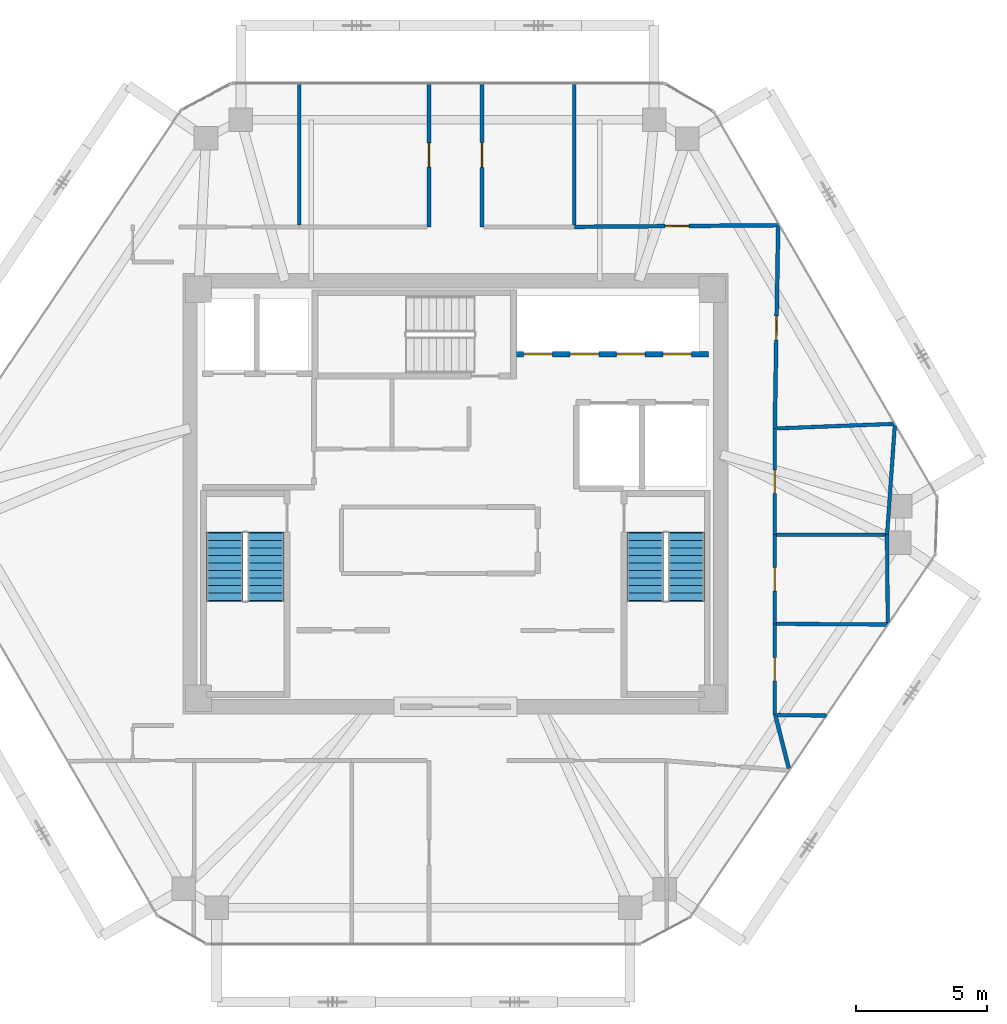
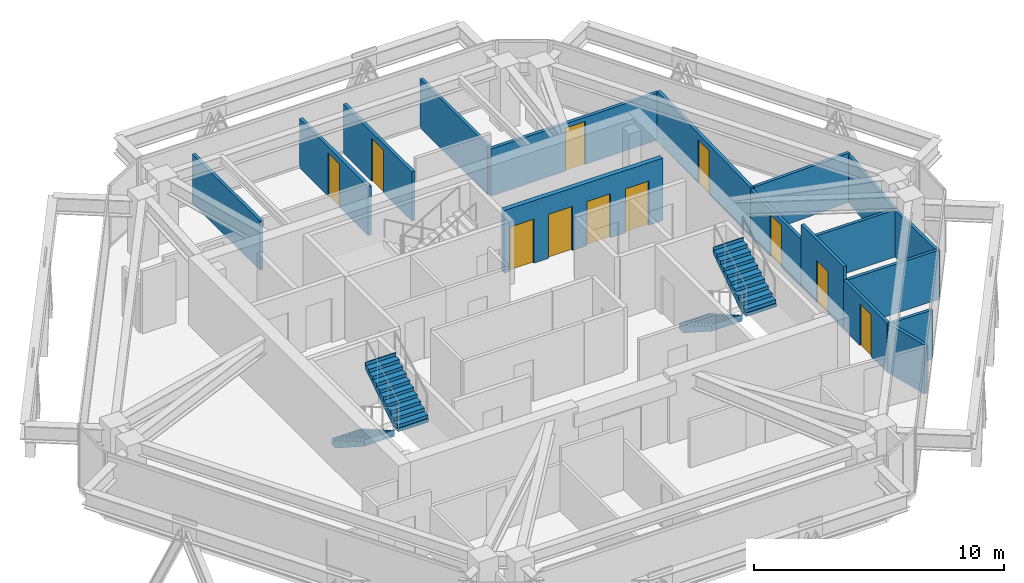
# One storey, part 11 of 13: 17 walls, 11 doors, 4 stair flights, 11 openings, 2 elements without a shape of their own.
"""IFC4 building model written with IfcOpenShell, lengths in metres."""

from ifc_helpers import new_model, si_unit, direction, frame, frame_2d, origin, place, context, subcontext, project, spatial, polyline, rectangle, outline, extrude, source, transform, mapped, material, layer, layer_set, type_object, type_shapes, element, fill, aggregate, save


model = new_model("IFC4")

# Units and contexts
model_context = context("Model", 3, precision=1e-05, world=origin(), true_north=direction((0.0, 1.0)))
body_context = subcontext(model_context, "Body", "Model", "MODEL_VIEW")
ifc_project = project(units=[si_unit("LENGTHUNIT", "METRE"), si_unit("AREAUNIT", "SQUARE_METRE"), si_unit("VOLUMEUNIT", "CUBIC_METRE"), si_unit("PLANEANGLEUNIT", "RADIAN"), si_unit("MASSUNIT", "GRAM", prefix="KILO")], contexts=[model_context])

# Site, building, storey
site_placement = place(None, origin())
site = spatial("IfcSite", under=ifc_project, at=site_placement, CompositionType="ELEMENT")
building_placement = place(site_placement, origin())
building = spatial("IfcBuilding", under=site, at=building_placement, Name="Durnholm Broadcast Tower", CompositionType="ELEMENT")
storey_placement = place(building_placement, frame((0.0, 0.0, 228.199951171875)))
storey = spatial("IfcBuildingStorey", under=building, at=storey_placement, Name="L63", CompositionType="ELEMENT", Elevation=228.199951171875)

# Walls
ifc_material_1 = material(Name="Gypsum Metal Stud Partition", Category="concrete")
ifc_layer_1 = layer(ifc_material_1, 0.135009765625)
ifc_layer_set_1 = layer_set([ifc_layer_1], Name="Gypsum Metal Stud Partition")
wall_type_1 = type_object("IfcWallType", Name="WALL-PART-135", PredefinedType="PARTITIONING", material=ifc_layer_set_1)
wall_1_placement = place(storey_placement, frame((-5.9599609375, 15.662109375, 0.0), z_axis=(0.0, 0.0, 1.0), x_axis=(0.0, -1.0, 0.0)))
element("IfcWall", 1, at=wall_1_placement, inside=storey, type_object=wall_type_1, Name="L63 room dividing partition 10.11", PredefinedType="PARTITIONING", context=body_context, shape_type="SweptSolid", body=[
    extrude(rectangle(XDim=5.403076171875, YDim=0.135009765625, at=frame_2d((2.70166015625, 0.0))), origin(), (0.0, 0.0, 1.0), 2.39892578125),
])
wall_2_placement = place(storey_placement, frame((4.5400390625, 15.662109375, 0.0), z_axis=(0.0, 0.0, 1.0), x_axis=(0.0, -1.0, 0.0)))
element("IfcWall", 2, at=wall_2_placement, inside=storey, type_object=wall_type_1, Name="L63 room dividing partition 12.13", PredefinedType="PARTITIONING", context=body_context, shape_type="SweptSolid", body=[
    extrude(rectangle(XDim=5.402587890625, YDim=0.135009765625, at=frame_2d((2.701171875, 0.0))), origin(), (0.0, 0.0, 1.0), 2.39892578125),
])

# Wall, opening, door
ifc_material_2 = material(Name="Acoustic Gypsum Stud Partition", Category="concrete")
ifc_layer_2 = layer(ifc_material_2, 0.14990234375)
ifc_layer_set_2 = layer_set([ifc_layer_2], Name="Acoustic Gypsum Stud Partition")
wall_type_2 = type_object("IfcWallType", Name="WALL-PART-150", PredefinedType="PARTITIONING", material=ifc_layer_set_2)
wall_3_placement = place(storey_placement, frame((-1.010009765625, 15.662109375, 0.0), z_axis=(0.0, 0.0, 1.0), x_axis=(0.0, -1.0, 0.0)))
wall_3 = element("IfcWall", 3, at=wall_3_placement, inside=storey, type_object=wall_type_2, Name="L63 VP Sports Office corridor partition", PredefinedType="PARTITIONING", context=body_context, shape_type="SweptSolid", body=[
    extrude(rectangle(XDim=5.482177734375, YDim=0.14990234375, at=frame_2d((2.7412109375, 0.0))), origin(), (0.0, 0.0, 1.0), 2.39892578125),
])
opening_1_placement = place(wall_3_placement, frame((2.281005859375, 0.0, 0.0)))
opening_1 = element("IfcOpeningElement", 4, at=opening_1_placement, cuts=wall_3, Name="Opening DR-92L", PredefinedType="OPENING", context=body_context, shape_type="SweptSolid", body=[
    extrude(rectangle(XDim=0.919921875, YDim=2.10009765625, at=frame_2d((0.4599609375, 1.050048828125))), frame((0.0, 0.0849609375, 0.0), z_axis=(0.0, -1.0, 0.0), x_axis=(1.0, 0.0, 0.0)), (0.0, 0.0, 1.0), 0.169921875),
])
ifc_material_3 = material(Name="Oak Veneer Office Door", Category="wood")
ifc_layer_3 = layer(ifc_material_3, 0.050048828125)
ifc_layer_set_3 = layer_set([ifc_layer_3], Name="Oak Veneer Office Door")
door_type_1 = type_object("IfcDoorType", Name="DOOR-RM-920L", OperationType="NOTDEFINED", PredefinedType="DOOR", material=ifc_layer_set_3)
shared_shape_1 = source(origin(), body_context, "Body", "SweptSolid", [
    extrude(rectangle(XDim=0.919921875, YDim=2.10009765625, at=frame_2d((0.4599609375, 1.050048828125))), frame((0.0, 0.02490234375, 0.0), z_axis=(0.0, -1.0, 0.0), x_axis=(1.0, 0.0, 0.0)), (0.0, 0.0, 1.0), 0.050048828125),
])
type_shapes(door_type_1, [shared_shape_1])
door_1_placement = place(opening_1_placement, origin())
door_1 = element("IfcDoor", 5, at=door_1_placement, inside=storey, type_object=door_type_1, Name="L63 VP Sports Office entrance door", OperationType="SINGLE_SWING_LEFT", OverallHeight=2.10009765625, OverallWidth=0.919921875, PredefinedType="DOOR", context=body_context, shape_type="MappedRepresentation", body=[
    mapped(shared_shape_1, transform((0.0, 0.0, 0.0), x_axis=(1.0, 0.0, 0.0), y_axis=(0.0, 1.0, 0.0), z_axis=(0.0, 0.0, 1.0), scale=1.0)),
])
fill(opening_1, door_1)

wall_4_placement = place(storey_placement, frame((1.010009765625, 10.179931640625, 0.0), z_axis=(0.0, 0.0, 1.0), x_axis=(0.0, 1.0, 0.0)))
wall_4 = element("IfcWall", 6, at=wall_4_placement, inside=storey, type_object=wall_type_2, Name="L63 VP Entertainment Office corridor partition", PredefinedType="PARTITIONING", context=body_context, shape_type="SweptSolid", body=[
    extrude(rectangle(XDim=5.482177734375, YDim=0.14990234375, at=frame_2d((2.7412109375, 0.0))), origin(), (0.0, 0.0, 1.0), 2.39892578125),
])
opening_2_placement = place(wall_4_placement, frame((2.26611328125, 0.0, 0.0)))
opening_2 = element("IfcOpeningElement", 7, at=opening_2_placement, cuts=wall_4, Name="Opening DR-95R", PredefinedType="OPENING", context=body_context, shape_type="SweptSolid", body=[
    extrude(rectangle(XDim=0.949951171875, YDim=2.10009765625, at=frame_2d((0.47509765625, 1.050048828125))), frame((0.0, 0.0849609375, 0.0), z_axis=(0.0, -1.0, 0.0), x_axis=(1.0, 0.0, 0.0)), (0.0, 0.0, 1.0), 0.169921875),
])
ifc_material_4 = material(Name="Acoustic Oak Veneer Timber Door", Category="wood")
ifc_layer_4 = layer(ifc_material_4, 0.050048828125)
ifc_layer_set_4 = layer_set([ifc_layer_4], Name="Acoustic Oak Veneer Timber Door")
door_type_2 = type_object("IfcDoorType", Name="DOOR-RM-950R", OperationType="NOTDEFINED", PredefinedType="DOOR", material=ifc_layer_set_4)
shared_shape_2 = source(origin(), body_context, "Body", "SweptSolid", [
    extrude(rectangle(XDim=0.949951171875, YDim=2.10009765625, at=frame_2d((0.47509765625, 1.050048828125))), frame((0.0, 0.02490234375, 0.0), z_axis=(0.0, -1.0, 0.0), x_axis=(1.0, 0.0, 0.0)), (0.0, 0.0, 1.0), 0.050048828125),
])
type_shapes(door_type_2, [shared_shape_2])
door_2_placement = place(opening_2_placement, origin())
door_2 = element("IfcDoor", 8, at=door_2_placement, inside=storey, type_object=door_type_2, Name="L63 VP Entertainment Office entrance door", OperationType="SINGLE_SWING_RIGHT", OverallHeight=2.10009765625, OverallWidth=0.949951171875, PredefinedType="DOOR", context=body_context, shape_type="MappedRepresentation", body=[
    mapped(shared_shape_2, transform((0.0, 0.0, 0.0), x_axis=(1.0, 0.0, 0.0), y_axis=(0.0, 1.0, 0.0), z_axis=(0.0, 0.0, 1.0), scale=1.0)),
])
fill(opening_2, door_2)

wall_5_placement = place(storey_placement, frame((12.368408203125, 10.242919921875, 0.0), z_axis=(0.0, 0.0, 1.0), x_axis=(-0.999968379606, -0.007952344825, 0.0)))
wall_5 = element("IfcWall", 9, at=wall_5_placement, inside=storey, type_object=wall_type_2, Name="L63 CTO Office corridor partition", PredefinedType="PARTITIONING", context=body_context, shape_type="SweptSolid", body=[
    extrude(rectangle(XDim=7.82861328125, YDim=0.14990234375, at=frame_2d((3.914306640625, 0.0))), origin(), (0.0, 0.0, 1.0), 2.30126953125),
])
opening_3_placement = place(wall_5_placement, frame((3.454345703125, 0.0, 0.0)))
opening_3 = element("IfcOpeningElement", 10, at=opening_3_placement, cuts=wall_5, Name="Opening DR-92L", PredefinedType="OPENING", context=body_context, shape_type="SweptSolid", body=[
    extrude(rectangle(XDim=0.919921875, YDim=2.10009765625, at=frame_2d((0.4599609375, 1.050048828125))), frame((0.0, 0.0849609375, 0.0), z_axis=(0.0, -1.0, 0.0), x_axis=(1.0, 0.0, 0.0)), (0.0, 0.0, 1.0), 0.169921875),
])
door_3_placement = place(opening_3_placement, origin())
door_3 = element("IfcDoor", 11, at=door_3_placement, inside=storey, type_object=door_type_1, Name="L63 CTO Office entrance door", OperationType="SINGLE_SWING_LEFT", OverallHeight=2.10009765625, OverallWidth=0.919921875, PredefinedType="DOOR", context=body_context, shape_type="MappedRepresentation", body=[
    mapped(shared_shape_1, transform((0.0, 0.0, 0.0), x_axis=(1.0, 0.0, 0.0), y_axis=(0.0, 1.0, 0.0), z_axis=(0.0, 0.0, 1.0), scale=1.0)),
])
fill(opening_3, door_3)

# Wall
wall_6_placement = place(storey_placement, frame((12.71826171875, -10.476806640625, 0.0), z_axis=(0.0, 0.0, 1.0), x_axis=(-0.246496791887, 0.96914360731, 0.0)))
element("IfcWall", 12, at=wall_6_placement, inside=storey, type_object=wall_type_2, Name="L63 Broadcast Library Lounge corridor partition", PredefinedType="PARTITIONING", context=body_context, shape_type="SweptSolid", body=[
    extrude(rectangle(XDim=2.101806640625, YDim=0.14990234375, at=frame_2d((1.05078125, 0.0))), origin(), (0.0, 0.0, 1.0), 2.39892578125),
])

# Wall, opening, door
wall_7_placement = place(storey_placement, frame((12.181396484375, 2.489990234375, 0.0), z_axis=(0.0, 0.0, 1.0), x_axis=(0.016828669653, 0.999858387912, 0.0)))
wall_7 = element("IfcWall", 13, at=wall_7_placement, inside=storey, type_object=wall_type_2, Name="L63 VP Entertainment Office corridor partition", PredefinedType="PARTITIONING", context=body_context, shape_type="SweptSolid", body=[
    extrude(rectangle(XDim=7.67431640625, YDim=0.14990234375, at=frame_2d((3.837158203125, 0.0))), origin(), (0.0, 0.0, 1.0), 2.39892578125),
])
opening_4_placement = place(wall_7_placement, frame((3.377197265625, 0.0, 0.0)))
opening_4 = element("IfcOpeningElement", 14, at=opening_4_placement, cuts=wall_7, Name="Opening DR-92L", PredefinedType="OPENING", context=body_context, shape_type="SweptSolid", body=[
    extrude(rectangle(XDim=0.919921875, YDim=2.10009765625, at=frame_2d((0.4599609375, 1.050048828125))), frame((0.0, 0.0849609375, 0.0), z_axis=(0.0, -1.0, 0.0), x_axis=(1.0, 0.0, 0.0)), (0.0, 0.0, 1.0), 0.169921875),
])
door_4_placement = place(opening_4_placement, origin())
door_4 = element("IfcDoor", 15, at=door_4_placement, inside=storey, type_object=door_type_1, Name="L63 VP Entertainment Office entrance door", OperationType="SINGLE_SWING_LEFT", OverallHeight=2.10009765625, OverallWidth=0.919921875, PredefinedType="DOOR", context=body_context, shape_type="MappedRepresentation", body=[
    mapped(shared_shape_1, transform((0.0, 0.0, 0.0), x_axis=(1.0, 0.0, 0.0), y_axis=(0.0, 1.0, 0.0), z_axis=(0.0, 0.0, 1.0), scale=1.0)),
])
fill(opening_4, door_4)

# Wall, openings, doors
ifc_material_5 = material(Name="Concrete Blockwork C30/37", Category="masonry")
ifc_layer_5 = layer(ifc_material_5, 0.219970703125)
ifc_layer_set_5 = layer_set([ifc_layer_5], Name="Concrete Blockwork C30/37")
wall_type_3 = type_object("IfcWallType", Name="WALL-SHAFT-220", PredefinedType="SOLIDWALL", material=ifc_layer_set_5)
wall_8_placement = place(storey_placement, frame((2.324951171875, 5.320068359375, 0.0), z_axis=(0.0, 0.0, 1.0), x_axis=(1.0, 0.0, 0.0)))
wall_8 = element("IfcWall", 16, at=wall_8_placement, inside=storey, type_object=wall_type_3, Name="L63 high-rise bank P3 south front wall", PredefinedType="SOLIDWALL", context=body_context, shape_type="SweptSolid", body=[
    extrude(rectangle(XDim=7.324951171875, YDim=0.219970703125, at=frame_2d((3.66259765625, 0.0))), origin(), (0.0, 0.0, 1.0), 3.045166015625),
])
opening_5_placement = place(wall_8_placement, frame((0.27490234375, 0.0, 0.0)))
opening_5 = element("IfcOpeningElement", 17, at=opening_5_placement, cuts=wall_8, Name="Opening LD-LP3-1", PredefinedType="OPENING", context=body_context, shape_type="SweptSolid", body=[
    extrude(rectangle(XDim=1.10009765625, YDim=2.14990234375, at=frame_2d((0.550048828125, 1.074951171875))), frame((0.0, 0.1201171875, 0.0), z_axis=(0.0, -1.0, 0.0), x_axis=(1.0, 0.0, 0.0)), (0.0, 0.0, 1.0), 0.239990234375),
])
opening_6_placement = place(wall_8_placement, frame((2.044921875, 0.0, 0.0)))
opening_6 = element("IfcOpeningElement", 18, at=opening_6_placement, cuts=wall_8, Name="Opening LD-LP3-2", PredefinedType="OPENING", context=body_context, shape_type="SweptSolid", body=[
    extrude(rectangle(XDim=1.10009765625, YDim=2.14990234375, at=frame_2d((0.550048828125, 1.074951171875))), frame((0.0, 0.1201171875, 0.0), z_axis=(0.0, -1.0, 0.0), x_axis=(1.0, 0.0, 0.0)), (0.0, 0.0, 1.0), 0.239990234375),
])
opening_7_placement = place(wall_8_placement, frame((3.81494140625, 0.0, 0.0)))
opening_7 = element("IfcOpeningElement", 19, at=opening_7_placement, cuts=wall_8, Name="Opening LD-LP3-3", PredefinedType="OPENING", context=body_context, shape_type="SweptSolid", body=[
    extrude(rectangle(XDim=1.10009765625, YDim=2.14990234375, at=frame_2d((0.550048828125, 1.074951171875))), frame((0.0, 0.1201171875, 0.0), z_axis=(0.0, -1.0, 0.0), x_axis=(1.0, 0.0, 0.0)), (0.0, 0.0, 1.0), 0.239990234375),
])
opening_8_placement = place(wall_8_placement, frame((5.5849609375, 0.0, 0.0)))
opening_8 = element("IfcOpeningElement", 20, at=opening_8_placement, cuts=wall_8, Name="Opening LD-LP3-4", PredefinedType="OPENING", context=body_context, shape_type="SweptSolid", body=[
    extrude(rectangle(XDim=1.10009765625, YDim=2.14990234375, at=frame_2d((0.550048828125, 1.074951171875))), frame((0.0, 0.1201171875, 0.0), z_axis=(0.0, -1.0, 0.0), x_axis=(1.0, 0.0, 0.0)), (0.0, 0.0, 1.0), 0.239990234375),
])
ifc_material_6 = material(Name="Stainless Steel Sliding Elevator Landing Door", Category="steel")
ifc_layer_6 = layer(ifc_material_6, 0.050048828125)
ifc_layer_set_6 = layer_set([ifc_layer_6], Name="Stainless Steel Sliding Elevator Landing Door")
door_type_3 = type_object("IfcDoorType", Name="DOOR-LIFT-PAX", OperationType="DOUBLE_DOOR_SLIDING", PredefinedType="DOOR", material=ifc_layer_set_6)
shared_shape_3 = source(origin(), body_context, "Body", "SweptSolid", [
    extrude(rectangle(XDim=1.10009765625, YDim=2.14990234375, at=frame_2d((0.550048828125, 1.074951171875))), frame((0.0, 0.02490234375, 0.0), z_axis=(0.0, -1.0, 0.0), x_axis=(1.0, 0.0, 0.0)), (0.0, 0.0, 1.0), 0.050048828125),
])
type_shapes(door_type_3, [shared_shape_3])
door_5_placement = place(opening_5_placement, origin())
door_5 = element("IfcDoor", 21, at=door_5_placement, inside=storey, type_object=door_type_3, Name="L63 high-rise elevator LP3-1 sliding landing door", OperationType="DOUBLE_DOOR_SLIDING", OverallHeight=2.14990234375, OverallWidth=1.10009765625, PredefinedType="DOOR", context=body_context, shape_type="MappedRepresentation", body=[
    mapped(shared_shape_3, transform((0.0, 0.0, 0.0), x_axis=(1.0, 0.0, 0.0), y_axis=(0.0, 1.0, 0.0), z_axis=(0.0, 0.0, 1.0), scale=1.0)),
])
fill(opening_5, door_5)
door_6_placement = place(opening_6_placement, origin())
door_6 = element("IfcDoor", 22, at=door_6_placement, inside=storey, type_object=door_type_3, Name="L63 high-rise elevator LP3-2 sliding landing door", OperationType="DOUBLE_DOOR_SLIDING", OverallHeight=2.14990234375, OverallWidth=1.10009765625, PredefinedType="DOOR", context=body_context, shape_type="MappedRepresentation", body=[
    mapped(shared_shape_3, transform((0.0, 0.0, 0.0), x_axis=(1.0, 0.0, 0.0), y_axis=(0.0, 1.0, 0.0), z_axis=(0.0, 0.0, 1.0), scale=1.0)),
])
fill(opening_6, door_6)
door_7_placement = place(opening_7_placement, origin())
door_7 = element("IfcDoor", 23, at=door_7_placement, inside=storey, type_object=door_type_3, Name="L63 high-rise elevator LP3-3 sliding landing door", OperationType="DOUBLE_DOOR_SLIDING", OverallHeight=2.14990234375, OverallWidth=1.10009765625, PredefinedType="DOOR", context=body_context, shape_type="MappedRepresentation", body=[
    mapped(shared_shape_3, transform((0.0, 0.0, 0.0), x_axis=(1.0, 0.0, 0.0), y_axis=(0.0, 1.0, 0.0), z_axis=(0.0, 0.0, 1.0), scale=1.0)),
])
fill(opening_7, door_7)
door_8_placement = place(opening_8_placement, origin())
door_8 = element("IfcDoor", 24, at=door_8_placement, inside=storey, type_object=door_type_3, Name="L63 high-rise elevator LP3-4 sliding landing door", OperationType="DOUBLE_DOOR_SLIDING", OverallHeight=2.14990234375, OverallWidth=1.10009765625, PredefinedType="DOOR", context=body_context, shape_type="MappedRepresentation", body=[
    mapped(shared_shape_3, transform((0.0, 0.0, 0.0), x_axis=(1.0, 0.0, 0.0), y_axis=(0.0, 1.0, 0.0), z_axis=(0.0, 0.0, 1.0), scale=1.0)),
])
fill(opening_8, door_8)

# Wall, opening, door
ifc_material_7 = material(Name="Moisture-Resistant Tile Partition", Category="concrete")
ifc_layer_7 = layer(ifc_material_7, 0.139892578125)
ifc_layer_set_7 = layer_set([ifc_layer_7], Name="Moisture-Resistant Tile Partition")
wall_type_4 = type_object("IfcWallType", Name="WALL-WC-140", PredefinedType="PARTITIONING", material=ifc_layer_set_7)
wall_9_placement = place(storey_placement, frame((12.179931640625, -8.43994140625, 0.0), z_axis=(0.0, 0.0, 1.0), x_axis=(0.0, 1.0, 0.0)))
wall_9 = element("IfcWall", 25, at=wall_9_placement, inside=storey, type_object=wall_type_4, Name="L63 Men's Restroom corridor partition", PredefinedType="PARTITIONING", context=body_context, shape_type="SweptSolid", body=[
    extrude(rectangle(XDim=3.47998046875, YDim=0.139892578125, at=frame_2d((1.739990234375, 0.0))), origin(), (0.0, 0.0, 1.0), 2.39892578125),
])
opening_9_placement = place(wall_9_placement, frame((1.2900390625, 0.0, 0.0)))
opening_9 = element("IfcOpeningElement", 26, at=opening_9_placement, cuts=wall_9, Name="Opening DW-90L", PredefinedType="OPENING", context=body_context, shape_type="SweptSolid", body=[
    extrude(rectangle(XDim=0.89990234375, YDim=2.050048828125, at=frame_2d((0.449951171875, 1.02490234375))), frame((0.0, 0.080078125, 0.0), z_axis=(0.0, -1.0, 0.0), x_axis=(1.0, 0.0, 0.0)), (0.0, 0.0, 1.0), 0.159912109375),
])
ifc_material_8 = material(Name="Laminate Restroom Door", Category="steel")
ifc_layer_8 = layer(ifc_material_8, 0.050048828125)
ifc_layer_set_8 = layer_set([ifc_layer_8], Name="Laminate Restroom Door")
door_type_4 = type_object("IfcDoorType", Name="DOOR-WC-900L", OperationType="NOTDEFINED", PredefinedType="DOOR", material=ifc_layer_set_8)
shared_shape_4 = source(origin(), body_context, "Body", "SweptSolid", [
    extrude(rectangle(XDim=0.89990234375, YDim=2.050048828125, at=frame_2d((0.449951171875, 1.02490234375))), frame((0.0, 0.02490234375, 0.0), z_axis=(0.0, -1.0, 0.0), x_axis=(1.0, 0.0, 0.0)), (0.0, 0.0, 1.0), 0.050048828125),
])
type_shapes(door_type_4, [shared_shape_4])
door_9_placement = place(opening_9_placement, origin())
door_9 = element("IfcDoor", 27, at=door_9_placement, inside=storey, type_object=door_type_4, Name="L63 Men's Restroom entrance door", OperationType="SINGLE_SWING_LEFT", OverallHeight=2.050048828125, OverallWidth=0.89990234375, PredefinedType="DOOR", context=body_context, shape_type="MappedRepresentation", body=[
    mapped(shared_shape_4, transform((0.0, 0.0, 0.0), x_axis=(1.0, 0.0, 0.0), y_axis=(0.0, 1.0, 0.0), z_axis=(0.0, 0.0, 1.0), scale=1.0)),
])
fill(opening_9, door_9)

wall_10_placement = place(storey_placement, frame((12.179931640625, -4.9599609375, 0.0), z_axis=(0.0, 0.0, 1.0), x_axis=(0.0, 1.0, 0.0)))
wall_10 = element("IfcWall", 28, at=wall_10_placement, inside=storey, type_object=wall_type_4, Name="L63 Women's Restroom corridor partition", PredefinedType="PARTITIONING", context=body_context, shape_type="SweptSolid", body=[
    extrude(rectangle(XDim=3.39990234375, YDim=0.139892578125, at=frame_2d((1.699951171875, 0.0))), origin(), (0.0, 0.0, 1.0), 3.045166015625),
])
opening_10_placement = place(wall_10_placement, frame((1.25, 0.0, 0.0)))
opening_10 = element("IfcOpeningElement", 29, at=opening_10_placement, cuts=wall_10, Name="Opening DW-90R", PredefinedType="OPENING", context=body_context, shape_type="SweptSolid", body=[
    extrude(rectangle(XDim=0.89990234375, YDim=2.050048828125, at=frame_2d((0.449951171875, 1.02490234375))), frame((0.0, 0.080078125, 0.0), z_axis=(0.0, -1.0, 0.0), x_axis=(1.0, 0.0, 0.0)), (0.0, 0.0, 1.0), 0.159912109375),
])
ifc_layer_9 = layer(ifc_material_8, 0.050048828125)
ifc_layer_set_9 = layer_set([ifc_layer_9], Name="Laminate Restroom Door")
door_type_5 = type_object("IfcDoorType", Name="DOOR-WC-900R", OperationType="NOTDEFINED", PredefinedType="DOOR", material=ifc_layer_set_9)
shared_shape_5 = source(origin(), body_context, "Body", "SweptSolid", [
    extrude(rectangle(XDim=0.89990234375, YDim=2.050048828125, at=frame_2d((0.449951171875, 1.02490234375))), frame((0.0, 0.02490234375, 0.0), z_axis=(0.0, -1.0, 0.0), x_axis=(1.0, 0.0, 0.0)), (0.0, 0.0, 1.0), 0.050048828125),
])
type_shapes(door_type_5, [shared_shape_5])
door_10_placement = place(opening_10_placement, origin())
door_10 = element("IfcDoor", 30, at=door_10_placement, inside=storey, type_object=door_type_5, Name="L63 Women's Restroom entrance door", OperationType="SINGLE_SWING_RIGHT", OverallHeight=2.050048828125, OverallWidth=0.89990234375, PredefinedType="DOOR", context=body_context, shape_type="MappedRepresentation", body=[
    mapped(shared_shape_5, transform((0.0, 0.0, 0.0), x_axis=(1.0, 0.0, 0.0), y_axis=(0.0, 1.0, 0.0), z_axis=(0.0, 0.0, 1.0), scale=1.0)),
])
fill(opening_10, door_10)

wall_11_placement = place(storey_placement, frame((12.179931640625, -1.56005859375, 0.0), z_axis=(0.0, 0.0, 1.0), x_axis=(0.0, 1.0, 0.0)))
wall_11 = element("IfcWall", 31, at=wall_11_placement, inside=storey, type_object=wall_type_4, Name="L63 Accessible Restroom corridor partition", PredefinedType="PARTITIONING", context=body_context, shape_type="SweptSolid", body=[
    extrude(rectangle(XDim=4.050048828125, YDim=0.139892578125, at=frame_2d((2.02490234375, 0.0))), origin(), (0.0, 0.0, 1.0), 2.30126953125),
])
opening_11_placement = place(wall_11_placement, frame((1.574951171875, 0.0, 0.0)))
opening_11 = element("IfcOpeningElement", 32, at=opening_11_placement, cuts=wall_11, Name="Opening DW-90L", PredefinedType="OPENING", context=body_context, shape_type="SweptSolid", body=[
    extrude(rectangle(XDim=0.89990234375, YDim=2.050048828125, at=frame_2d((0.449951171875, 1.02490234375))), frame((0.0, 0.080078125, 0.0), z_axis=(0.0, -1.0, 0.0), x_axis=(1.0, 0.0, 0.0)), (0.0, 0.0, 1.0), 0.159912109375),
])
door_11_placement = place(opening_11_placement, origin())
door_11 = element("IfcDoor", 33, at=door_11_placement, inside=storey, type_object=door_type_4, Name="L63 Accessible Restroom entrance door", OperationType="SINGLE_SWING_LEFT", OverallHeight=2.050048828125, OverallWidth=0.89990234375, PredefinedType="DOOR", context=body_context, shape_type="MappedRepresentation", body=[
    mapped(shared_shape_4, transform((0.0, 0.0, 0.0), x_axis=(1.0, 0.0, 0.0), y_axis=(0.0, 1.0, 0.0), z_axis=(0.0, 0.0, 1.0), scale=1.0)),
])
fill(opening_11, door_11)

# Walls
wall_12_placement = place(storey_placement, frame((12.25390625, -4.96044921875, 0.0), z_axis=(0.0, 0.0, 1.0), x_axis=(0.999976630429, -0.006836563198, 0.0)))
element("IfcWall", 34, at=wall_12_placement, inside=storey, type_object=wall_type_4, Name="L63 room dividing partition 7.8", PredefinedType="PARTITIONING", context=body_context, shape_type="SweptSolid", body=[
    extrude(rectangle(XDim=4.24951171875, YDim=0.139892578125, at=frame_2d((2.124755859375, 0.0))), origin(), (0.0, 0.0, 1.0), 2.39892578125),
])
wall_13_placement = place(storey_placement, frame((14.155517578125, -8.46240234375, 0.0), z_axis=(0.0, 0.0, 1.0), x_axis=(-0.999935742613, 0.011336253532, 0.0)))
element("IfcWall", 35, at=wall_13_placement, inside=storey, type_object=wall_type_4, Name="L63 room dividing partition 7.18", PredefinedType="PARTITIONING", context=body_context, shape_type="SweptSolid", body=[
    extrude(rectangle(XDim=1.87353515625, YDim=0.139892578125, at=frame_2d((0.936767578125, 0.0))), origin(), (0.0, 0.0, 1.0), 2.39892578125),
])
wall_14_placement = place(storey_placement, frame((12.25390625, -1.56005859375, 0.0), z_axis=(0.0, 0.0, 1.0), x_axis=(1.0, 0.0, 0.0)))
element("IfcWall", 36, at=wall_14_placement, inside=storey, type_object=wall_type_4, Name="L63 room dividing partition 8.9", PredefinedType="PARTITIONING", context=body_context, shape_type="SweptSolid", body=[
    extrude(rectangle(XDim=4.2060546875, YDim=0.139892578125, at=frame_2d((2.10302734375, 0.0))), origin(), (0.0, 0.0, 1.0), 2.30126953125),
])
wall_15_placement = place(storey_placement, frame((16.4599609375, -1.56005859375, 0.0), z_axis=(0.0, 0.0, 1.0), x_axis=(0.009604446748, -0.999953876238, 0.0)))
element("IfcWall", 37, at=wall_15_placement, inside=storey, type_object=wall_type_4, Name="L63 room dividing partition 8.21", PredefinedType="PARTITIONING", context=body_context, shape_type="SweptSolid", body=[
    extrude(rectangle(XDim=3.35546875, YDim=0.139892578125, at=frame_2d((1.677734375, 0.0))), origin(), (0.0, 0.0, 1.0), 2.30126953125),
])
wall_16_placement = place(storey_placement, frame((12.260498046875, 2.4931640625, 0.0), z_axis=(0.0, 0.0, 1.0), x_axis=(0.999256206289, 0.038562082324, 0.0)))
element("IfcWall", 38, at=wall_16_placement, inside=storey, type_object=wall_type_4, Name="L63 room dividing partition 9.21", PredefinedType="PARTITIONING", context=body_context, shape_type="SweptSolid", body=[
    extrude(rectangle(XDim=4.5078125, YDim=0.139892578125, at=frame_2d((2.25390625, 0.0))), origin(), (0.0, 0.0, 1.0), 2.39892578125),
])
wall_17_placement = place(storey_placement, frame((16.759521484375, 2.5927734375, 0.0), z_axis=(0.0, 0.0, 1.0), x_axis=(-0.07055102187, -0.997508172053, 0.0)))
element("IfcWall", 39, at=wall_17_placement, inside=storey, type_object=wall_type_4, Name="L63 room dividing partition 9.21", PredefinedType="PARTITIONING", context=body_context, shape_type="SweptSolid", body=[
    extrude(rectangle(XDim=4.162841796875, YDim=0.139892578125, at=frame_2d((2.08154296875, 0.0))), origin(), (0.0, 0.0, 1.0), 2.30126953125),
])

# Stair, stair flights
ifc_material_9 = material(Name="Concrete C50/60", Category="concrete")
stair_type = type_object("IfcStairType", Name="STAIR-DL-20R1650", PredefinedType="HALF_TURN_STAIR", material=ifc_material_9)
stair_1_placement = place(storey_placement, origin())
stair_1 = element("IfcStair", 40, at=stair_1_placement, inside=storey, type_object=stair_type, Name="L63 ST-1", PredefinedType="HALF_TURN_STAIR")
stair_flight_type = type_object("IfcStairFlightType", Name="FLIGHT-DL-20R1650", PredefinedType="STRAIGHT", material=ifc_material_9)
stair_flight_1_placement = place(storey_placement, frame((-8.800048828125, -1.5, 0.0), z_axis=(0.0, 0.0, 1.0), x_axis=(0.0, -1.0, 0.0)))
stair_flight_1 = element("IfcStairFlight", 41, at=stair_flight_1_placement, type_object=stair_flight_type, Name="ST-1 flight 1", NumberOfRisers=10, NumberOfTreads=9, PredefinedType="STRAIGHT", RiserHeight=0.165, TreadLength=0.285, context=body_context, shape_type="SweptSolid", body=[
    extrude(outline(polyline([(-0.0400390625, -0.14990234375), (-0.0400390625, 0.0), (0.0, 0.0), (0.0, 0.1650390625), (0.284912109375, 0.1650390625), (0.284912109375, 0.330078125), (0.570068359375, 0.330078125), (0.570068359375, 0.4951171875), (0.85498046875, 0.4951171875), (0.85498046875, 0.659912109375), (1.139892578125, 0.659912109375), (1.139892578125, 0.824951171875), (1.425048828125, 0.824951171875), (1.425048828125, 0.989990234375), (1.7099609375, 0.989990234375), (1.7099609375, 1.155029296875), (1.9951171875, 1.155029296875), (1.9951171875, 1.320068359375), (2.280029296875, 1.320068359375), (2.280029296875, 1.485107421875), (2.56494140625, 1.485107421875), (2.56494140625, 1.64990234375), (2.60498046875, 1.64990234375), (2.60498046875, 1.5), (2.56494140625, 1.311767578125), (0.299072265625, -0.14990234375), (-0.0400390625, -0.14990234375)])), frame((0.0, 0.699951171875, 0.0), z_axis=(0.0, -1.0, 0.0), x_axis=(1.0, 0.0, 0.0)), (0.0, 0.0, 1.0), 1.39990234375),
])
stair_flight_2_placement = place(storey_placement, frame((-7.239990234375, -4.06494140625, 1.650146484375), z_axis=(0.0, 0.0, 1.0), x_axis=(0.0, 1.0, 0.0)))
stair_flight_2 = element("IfcStairFlight", 42, at=stair_flight_2_placement, type_object=stair_flight_type, Name="ST-1 flight 2", NumberOfRisers=10, NumberOfTreads=9, PredefinedType="STRAIGHT", RiserHeight=0.165, TreadLength=0.285, context=body_context, shape_type="SweptSolid", body=[
    extrude(outline(polyline([(-0.0400390625, -0.14990234375), (-0.0400390625, 0.0), (0.0, 0.0), (0.0, 0.1650390625), (0.284912109375, 0.1650390625), (0.284912109375, 0.330078125), (0.570068359375, 0.330078125), (0.570068359375, 0.4951171875), (0.85498046875, 0.4951171875), (0.85498046875, 0.659912109375), (1.139892578125, 0.659912109375), (1.139892578125, 0.824951171875), (1.425048828125, 0.824951171875), (1.425048828125, 0.989990234375), (1.7099609375, 0.989990234375), (1.7099609375, 1.155029296875), (1.9951171875, 1.155029296875), (1.9951171875, 1.320068359375), (2.280029296875, 1.320068359375), (2.280029296875, 1.485107421875), (2.56494140625, 1.485107421875), (2.56494140625, 1.64990234375), (2.60498046875, 1.64990234375), (2.60498046875, 1.5), (2.56494140625, 1.311767578125), (0.299072265625, -0.14990234375), (-0.0400390625, -0.14990234375)])), frame((0.0, 0.699951171875, 0.0), z_axis=(0.0, -1.0, 0.0), x_axis=(1.0, 0.0, 0.0)), (0.0, 0.0, 1.0), 1.39990234375),
])
aggregate(stair_1, [stair_flight_1, stair_flight_2])

stair_2_placement = place(storey_placement, origin())
stair_2 = element("IfcStair", 43, at=stair_2_placement, inside=storey, type_object=stair_type, Name="L63 ST-2", PredefinedType="HALF_TURN_STAIR")
stair_flight_3_placement = place(storey_placement, frame((7.239990234375, -1.5, 0.0), z_axis=(0.0, 0.0, 1.0), x_axis=(0.0, -1.0, 0.0)))
stair_flight_3 = element("IfcStairFlight", 44, at=stair_flight_3_placement, type_object=stair_flight_type, Name="ST-2 flight 1", NumberOfRisers=10, NumberOfTreads=9, PredefinedType="STRAIGHT", RiserHeight=0.165, TreadLength=0.285, context=body_context, shape_type="SweptSolid", body=[
    extrude(outline(polyline([(-0.0400390625, -0.14990234375), (-0.0400390625, 0.0), (0.0, 0.0), (0.0, 0.1650390625), (0.284912109375, 0.1650390625), (0.284912109375, 0.330078125), (0.570068359375, 0.330078125), (0.570068359375, 0.4951171875), (0.85498046875, 0.4951171875), (0.85498046875, 0.659912109375), (1.139892578125, 0.659912109375), (1.139892578125, 0.824951171875), (1.425048828125, 0.824951171875), (1.425048828125, 0.989990234375), (1.7099609375, 0.989990234375), (1.7099609375, 1.155029296875), (1.9951171875, 1.155029296875), (1.9951171875, 1.320068359375), (2.280029296875, 1.320068359375), (2.280029296875, 1.485107421875), (2.56494140625, 1.485107421875), (2.56494140625, 1.64990234375), (2.60498046875, 1.64990234375), (2.60498046875, 1.5), (2.56494140625, 1.311767578125), (0.299072265625, -0.14990234375), (-0.0400390625, -0.14990234375)])), frame((0.0, 0.699951171875, 0.0), z_axis=(0.0, -1.0, 0.0), x_axis=(1.0, 0.0, 0.0)), (0.0, 0.0, 1.0), 1.39990234375),
])
stair_flight_4_placement = place(storey_placement, frame((8.800048828125, -4.06494140625, 1.650146484375), z_axis=(0.0, 0.0, 1.0), x_axis=(0.0, 1.0, 0.0)))
stair_flight_4 = element("IfcStairFlight", 45, at=stair_flight_4_placement, type_object=stair_flight_type, Name="ST-2 flight 2", NumberOfRisers=10, NumberOfTreads=9, PredefinedType="STRAIGHT", RiserHeight=0.165, TreadLength=0.285, context=body_context, shape_type="SweptSolid", body=[
    extrude(outline(polyline([(-0.0400390625, -0.14990234375), (-0.0400390625, 0.0), (0.0, 0.0), (0.0, 0.1650390625), (0.284912109375, 0.1650390625), (0.284912109375, 0.330078125), (0.570068359375, 0.330078125), (0.570068359375, 0.4951171875), (0.85498046875, 0.4951171875), (0.85498046875, 0.659912109375), (1.139892578125, 0.659912109375), (1.139892578125, 0.824951171875), (1.425048828125, 0.824951171875), (1.425048828125, 0.989990234375), (1.7099609375, 0.989990234375), (1.7099609375, 1.155029296875), (1.9951171875, 1.155029296875), (1.9951171875, 1.320068359375), (2.280029296875, 1.320068359375), (2.280029296875, 1.485107421875), (2.56494140625, 1.485107421875), (2.56494140625, 1.64990234375), (2.60498046875, 1.64990234375), (2.60498046875, 1.5), (2.56494140625, 1.311767578125), (0.299072265625, -0.14990234375), (-0.0400390625, -0.14990234375)])), frame((0.0, 0.699951171875, 0.0), z_axis=(0.0, -1.0, 0.0), x_axis=(1.0, 0.0, 0.0)), (0.0, 0.0, 1.0), 1.39990234375),
])
aggregate(stair_2, [stair_flight_3, stair_flight_4])

save(model, "model.ifc")
